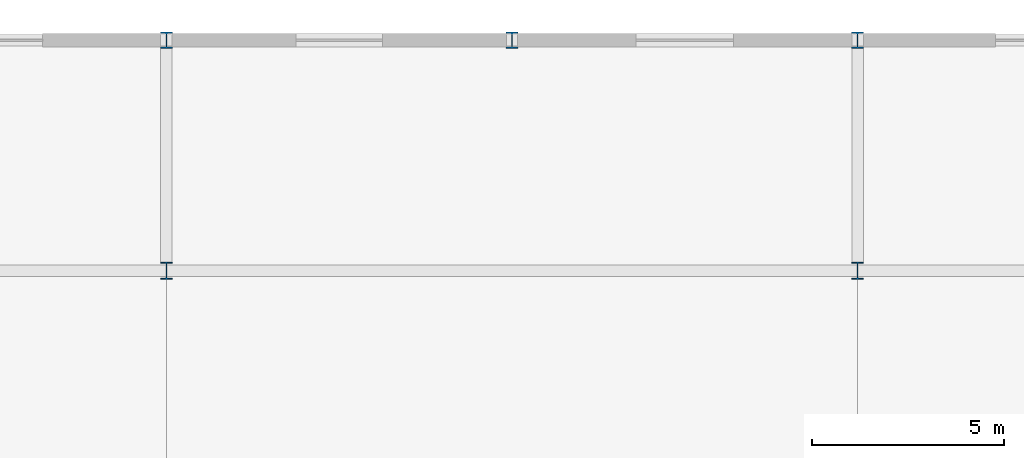
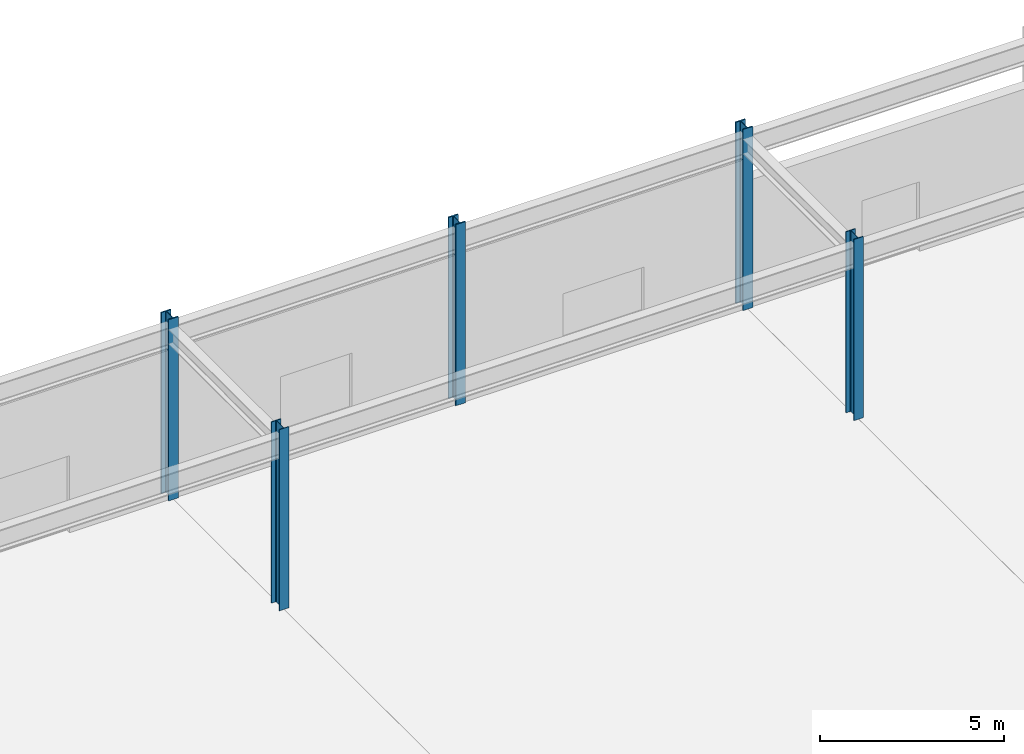
# One storey, part 12 of 146: 5 columns.
"""IFC4 building model written with IfcOpenShell, lengths in metres."""

from ifc_helpers import new_model, si_unit, direction, frame, origin, origin_2d, place, context, subcontext, project, spatial, i_section, extrude, material, material_profile, profile_set, type_object, element, save


model = new_model("IFC4")

# Units and contexts
model_context = context("Model", 3, precision=1e-05, world=origin(), true_north=direction((0.0, 1.0)))
body_context = subcontext(model_context, "Body", "Model", "MODEL_VIEW")
ifc_project = project(units=[si_unit("LENGTHUNIT", "METRE"), si_unit("AREAUNIT", "SQUARE_METRE"), si_unit("VOLUMEUNIT", "CUBIC_METRE"), si_unit("PLANEANGLEUNIT", "RADIAN"), si_unit("MASSUNIT", "GRAM", prefix="KILO")], contexts=[model_context])

# Site, building, storey
site_placement = place(None, origin())
site = spatial("IfcSite", under=ifc_project, at=site_placement, CompositionType="ELEMENT")
building_placement = place(site_placement, origin())
building = spatial("IfcBuilding", under=site, at=building_placement, Name="Kaldris Quays Convention Centre", CompositionType="ELEMENT")
storey_placement = place(building_placement, origin())
storey = spatial("IfcBuildingStorey", under=building, at=storey_placement, Name="L00", CompositionType="ELEMENT", Elevation=0.0)

# Columns
ifc_material_1 = material(Name="Steel S460ML", Category="steel")
ifc_material_profile_1 = material_profile(ifc_material_1, i_section(OverallWidth=0.306884765625, OverallDepth=0.431884765625, WebThickness=0.02099609375, FlangeThickness=0.0400390625, FilletRadius=0.027099609375, at=origin_2d()), Name="HEM 400")
ifc_profile_set_1 = profile_set([ifc_material_profile_1], Name="Steel S460ML")
column_type_1 = type_object("IfcColumnType", Name="STRUCTURAL COLUMN CL01", PredefinedType="COLUMN", material=ifc_profile_set_1)
for number, where, z_axis, x_axis, name in (
    (1, (92.0, 140.0, 0.0), (0.0, 0.0, 1.0), (1.0, 0.0, 0.0), "L00 V1 Column CL01 (92.00, 140.00)"),
    (2, (101.0, 140.0, 0.0), (0.0, 0.0, 1.0), (1.0, 0.0, 0.0), "L00 V1 Column CL01 (101.00, 140.00)"),
    (3, (110.0, 140.0, 0.0), (0.0, 0.0, 1.0), (1.0, 0.0, 0.0), "L00 V1 Column CL01 (110.00, 140.00)"),
):
    element("IfcColumn", number, at=place(storey_placement, frame(where, z_axis=z_axis, x_axis=x_axis)), inside=storey, type_object=column_type_1, Name=name, PredefinedType="COLUMN", context=body_context, shape_type="SweptSolid", body=[
        extrude(i_section(OverallWidth=0.306884765625, OverallDepth=0.431884765625, WebThickness=0.02099609375, FlangeThickness=0.0400390625, FilletRadius=0.027099609375, at=origin_2d()), origin(), (0.0, 0.0, 1.0), 6.0),
    ])
ifc_material_2 = material(Name="Steel S355J2", Category="steel")
ifc_material_profile_2 = material_profile(ifc_material_2, i_section(OverallWidth=0.300048828125, OverallDepth=0.449951171875, WebThickness=0.013916015625, FlangeThickness=0.02587890625, FilletRadius=0.027099609375, at=origin_2d()), Name="HEB 450")
ifc_profile_set_2 = profile_set([ifc_material_profile_2], Name="Steel S355J2")
column_type_2 = type_object("IfcColumnType", Name="STRUCTURAL COLUMN CL08", PredefinedType="COLUMN", material=ifc_profile_set_2)
for number, where, z_axis, x_axis, name in (
    (4, (92.0, 134.0, 0.0), (0.0, 0.0, 1.0), (1.0, 0.0, 0.0), "L00 V1 Column CL08 (92.00, 134.00)"),
    (5, (110.0, 134.0, 0.0), (0.0, 0.0, 1.0), (1.0, 0.0, 0.0), "L00 V1 Column CL08 (110.00, 134.00)"),
):
    element("IfcColumn", number, at=place(storey_placement, frame(where, z_axis=z_axis, x_axis=x_axis)), inside=storey, type_object=column_type_2, Name=name, PredefinedType="COLUMN", context=body_context, shape_type="SweptSolid", body=[
        extrude(i_section(OverallWidth=0.300048828125, OverallDepth=0.449951171875, WebThickness=0.013916015625, FlangeThickness=0.02587890625, FilletRadius=0.027099609375, at=origin_2d()), origin(), (0.0, 0.0, 1.0), 6.0),
    ])

save(model, "model.ifc")
